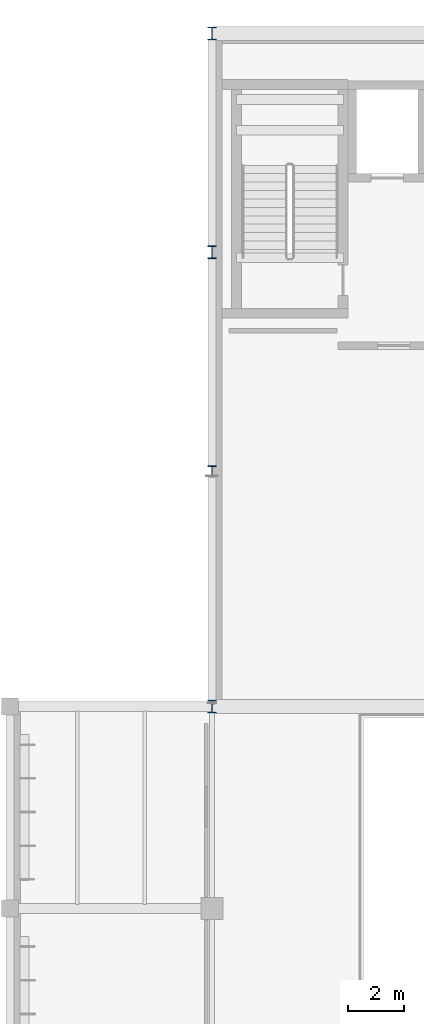
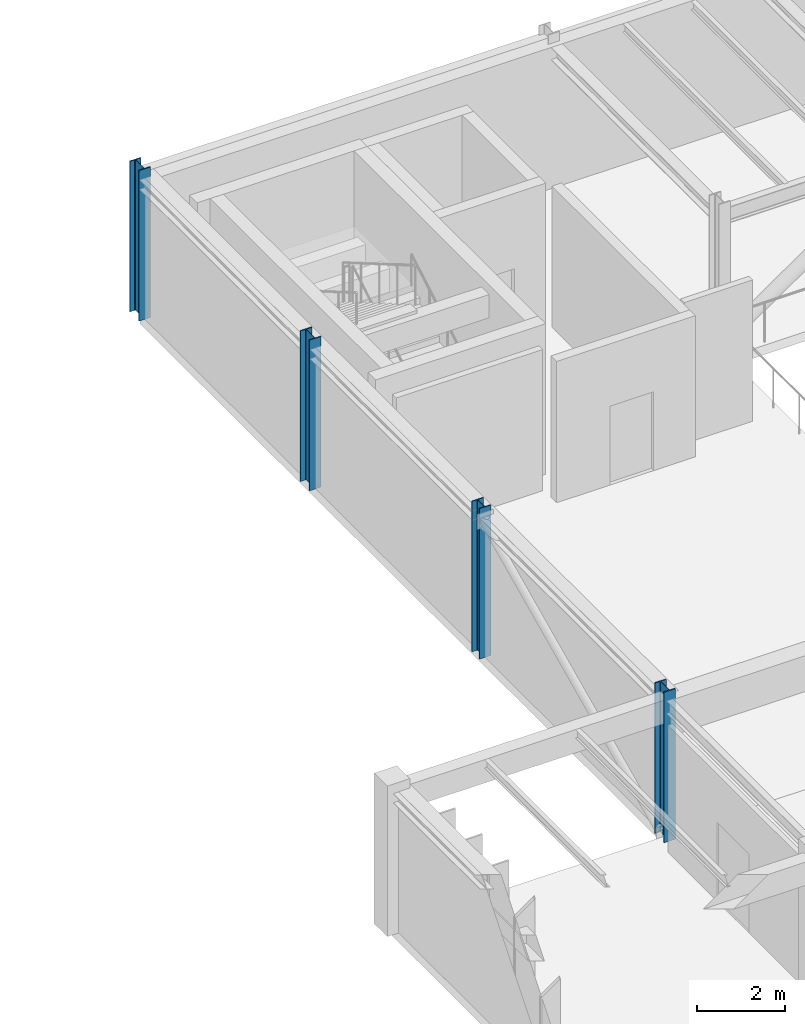
# One storey, part 7 of 122: 4 columns.
"""IFC4 building model written with IfcOpenShell, lengths in metres."""

from ifc_helpers import new_model, si_unit, direction, frame, origin, origin_2d, place, context, subcontext, project, spatial, i_section, extrude, material, material_profile, profile_set, type_object, element, save


model = new_model("IFC4")

# Units and contexts
model_context = context("Model", 3, precision=1e-05, world=origin(), true_north=direction((0.0, 1.0)))
body_context = subcontext(model_context, "Body", "Model", "MODEL_VIEW")
ifc_project = project(units=[si_unit("LENGTHUNIT", "METRE"), si_unit("AREAUNIT", "SQUARE_METRE"), si_unit("VOLUMEUNIT", "CUBIC_METRE"), si_unit("PLANEANGLEUNIT", "RADIAN"), si_unit("MASSUNIT", "GRAM", prefix="KILO")], contexts=[model_context])

# Site, building, storey
site_placement = place(None, origin())
site = spatial("IfcSite", under=ifc_project, at=site_placement, CompositionType="ELEMENT")
building_placement = place(site_placement, origin())
building = spatial("IfcBuilding", under=site, at=building_placement, Name="Tazoul Stagehouse", CompositionType="ELEMENT")
storey_placement = place(building_placement, frame((0.0, 0.0, 4.800048828125)))
storey = spatial("IfcBuildingStorey", under=building, at=storey_placement, Name="L01", CompositionType="ELEMENT", Elevation=4.800048828125)

# Columns
ifc_material = material(Name="Steel S355", Category="steel")
ifc_material_profile_1 = material_profile(ifc_material, i_section(OverallWidth=0.300048828125, OverallDepth=0.360107421875, WebThickness=0.012451171875, FlangeThickness=0.0224609375, FilletRadius=0.027099609375, at=origin_2d()), Name="HEB 360")
ifc_profile_set_1 = profile_set([ifc_material_profile_1], Name="Steel S355")
column_type_1 = type_object("IfcColumnType", Name="Steel Column HEB 360 (Exterior)", PredefinedType="COLUMN", material=ifc_profile_set_1)
column_placement = place(storey_placement, frame((57.60009765625, 96.199951171875, 0.0), z_axis=(0.0, 0.0, 1.0), x_axis=(1.0, 0.0, 0.0)))
element("IfcColumn", 1, at=column_placement, inside=storey, type_object=column_type_1, Name="L01 Column SC-03E at 8/P", PredefinedType="COLUMN", context=body_context, shape_type="SweptSolid", body=[
    extrude(i_section(OverallWidth=0.300048828125, OverallDepth=0.360107421875, WebThickness=0.012451171875, FlangeThickness=0.0224609375, FilletRadius=0.027099609375, at=origin_2d()), origin(), (0.0, 0.0, 1.0), 4.199951171875),
])
ifc_material_profile_2 = material_profile(ifc_material, i_section(OverallWidth=0.300048828125, OverallDepth=0.449951171875, WebThickness=0.013916015625, FlangeThickness=0.02587890625, FilletRadius=0.027099609375, at=origin_2d()), Name="HEB 450")
ifc_profile_set_2 = profile_set([ifc_material_profile_2], Name="Steel S355")
column_type_2 = type_object("IfcColumnType", Name="Steel Column HEB 450 (Exterior)", PredefinedType="COLUMN", material=ifc_profile_set_2)
for number, where, z_axis, x_axis, name in (
    (2, (57.60009765625, 87.800048828125, 0.0), (0.0, 0.0, 1.0), (1.0, 0.0, 0.0), "L01 Column SC-05E at 8/N"),
    (3, (57.60009765625, 104.0, 0.0), (0.0, 0.0, 1.0), (1.0, 0.0, 0.0), "L01 Column SC-05E at 8/Q"),
    (4, (57.60009765625, 111.800048828125, 0.0), (0.0, 0.0, 1.0), (1.0, 0.0, 0.0), "L01 Column SC-05E at 8/R"),
):
    element("IfcColumn", number, at=place(storey_placement, frame(where, z_axis=z_axis, x_axis=x_axis)), inside=storey, type_object=column_type_2, Name=name, PredefinedType="COLUMN", context=body_context, shape_type="SweptSolid", body=[
        extrude(i_section(OverallWidth=0.300048828125, OverallDepth=0.449951171875, WebThickness=0.013916015625, FlangeThickness=0.02587890625, FilletRadius=0.027099609375, at=origin_2d()), origin(), (0.0, 0.0, 1.0), 4.199951171875),
    ])

save(model, "model.ifc")
